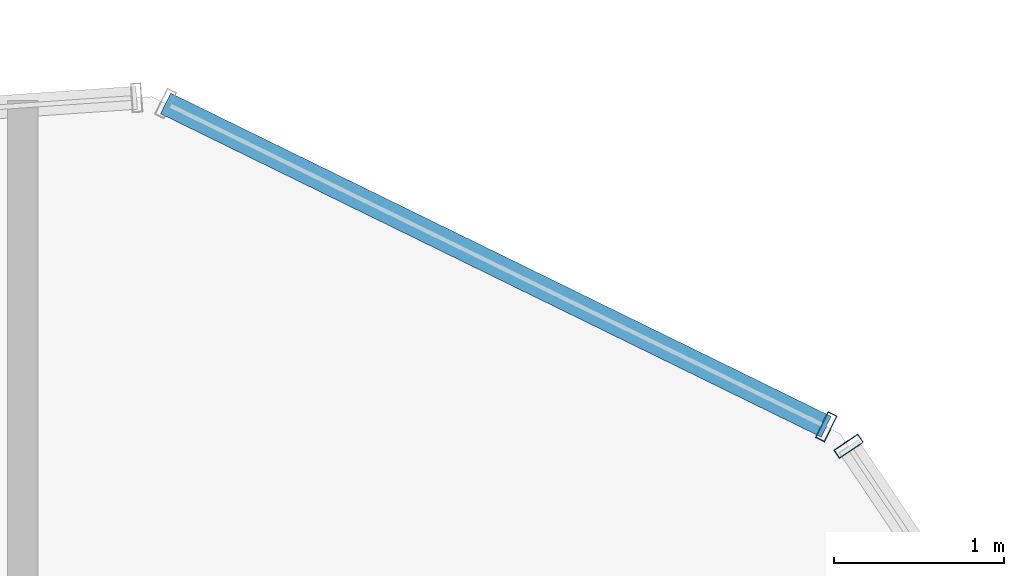
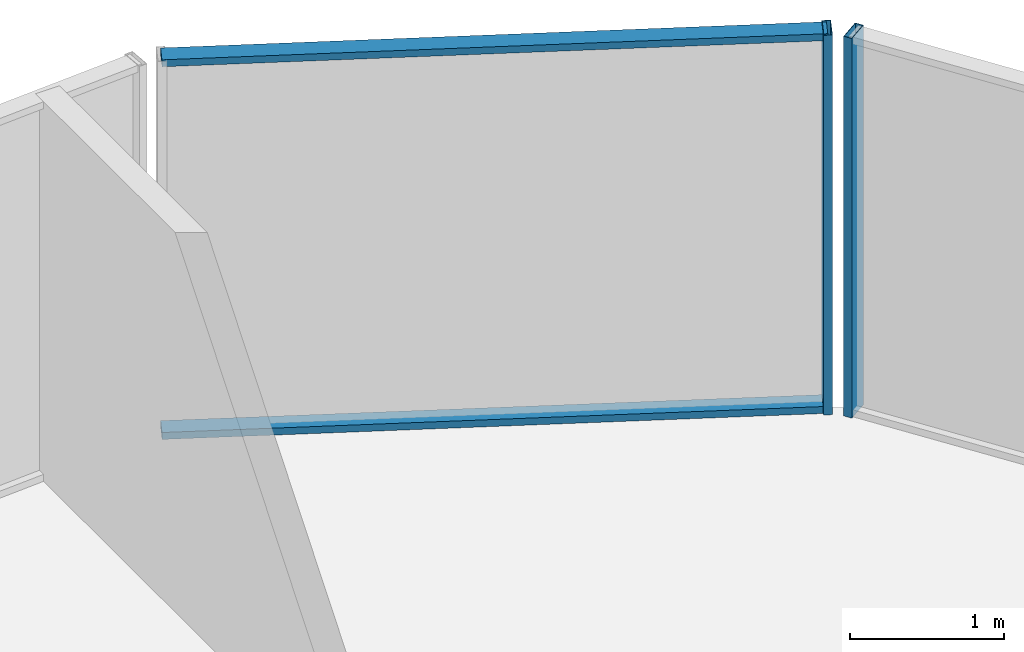
# One storey, part 31 of 37: 4 members, 2 elements without a shape of their own.
"""IFC4 building model written with IfcOpenShell, lengths in metres."""

from ifc_helpers import new_model, si_unit, direction, frame, origin, origin_2d, place, context, subcontext, project, spatial, hollow_rectangle, extrude, source, transform, mapped, material, layer, layer_set, material_profile, profile_set, type_object, element, aggregate, save


model = new_model("IFC4")

# Units and contexts
model_context = context("Model", 3, precision=1e-05, world=origin(), true_north=direction((0.0, 1.0)))
body_context = subcontext(model_context, "Body", "Model", "MODEL_VIEW")
ifc_project = project(units=[si_unit("LENGTHUNIT", "METRE"), si_unit("AREAUNIT", "SQUARE_METRE"), si_unit("VOLUMEUNIT", "CUBIC_METRE"), si_unit("PLANEANGLEUNIT", "RADIAN"), si_unit("MASSUNIT", "GRAM", prefix="KILO")], contexts=[model_context])

# Site, building, storey
site_placement = place(None, origin())
site = spatial("IfcSite", under=ifc_project, at=site_placement, CompositionType="ELEMENT")
building_placement = place(site_placement, origin())
building = spatial("IfcBuilding", under=site, at=building_placement, Name="Veraguas Prism Commons", CompositionType="ELEMENT")
storey_placement = place(building_placement, frame((0.0, 0.0, 37.050048828125)))
storey = spatial("IfcBuildingStorey", under=building, at=storey_placement, Name="L09", CompositionType="ELEMENT", Elevation=37.050048828125)

# Curtain wall, member
ifc_material = material(Name="Anodised aluminium EN AW-6063 T6", Category="aluminium")
ifc_layer = layer(ifc_material, 0.169921875, Name="Unitised Flush Curtain Wall Zone 1", Category="aluminium")
ifc_layer_set = layer_set([ifc_layer], Name="Anodised aluminium EN AW-6063 T6")
curtain_wall_type = type_object("IfcCurtainWallType", Name="Unitised Flush Curtain Wall Zone 1", PredefinedType="NOTDEFINED", material=ifc_layer_set)
curtain_wall_1_placement = place(storey_placement, origin())
curtain_wall_1 = element("IfcCurtainWall", 1, at=curtain_wall_1_placement, inside=storey, type_object=curtain_wall_type, Name="Tower Facade Curtain Wall L09-F1", PredefinedType="NOTDEFINED")
ifc_material_profile_1 = material_profile(ifc_material, hollow_rectangle(XDim=0.06005859375, YDim=0.169921875, WallThickness=0.00390625, at=origin_2d()), Name="AL60X170X4")
ifc_profile_set_1 = profile_set([ifc_material_profile_1], Name="Anodised aluminium EN AW-6063 T6")
member_type_1 = type_object("IfcMemberType", Name="Curtain Wall Mullion Lower AL 60x170x4", PredefinedType="MULLION", material=ifc_profile_set_1)
shared_shape_1 = source(origin(), body_context, "Body", "SweptSolid", [
    extrude(hollow_rectangle(XDim=0.06005859375, YDim=0.169921875, WallThickness=0.00390625, at=origin_2d()), origin(), (0.0, 0.0, 1.0), 3.0),
])
member_1_placement = place(storey_placement, frame((36.051025390625, 43.32568359375, 0.0), z_axis=(0.0, 0.0, 1.0), x_axis=(-0.558034803938, 0.829817544761, 0.0)))
member_1 = element("IfcMember", 2, at=member_1_placement, type_object=member_type_1, Name="CW-Z1 Mullion 5", PredefinedType="MULLION", context=body_context, shape_type="MappedRepresentation", body=[
    mapped(shared_shape_1, transform((0.0, 0.0, 0.0), scale=1.0)),
])
aggregate(curtain_wall_1, [member_1])

# Curtain wall, members
curtain_wall_2_placement = place(storey_placement, origin())
curtain_wall_2 = element("IfcCurtainWall", 3, at=curtain_wall_2_placement, inside=storey, type_object=curtain_wall_type, Name="Chamfer Curtain Wall L09-C2", PredefinedType="NOTDEFINED")
member_2_placement = place(storey_placement, frame((35.919921875, 43.43994140625, 0.0), z_axis=(0.0, 0.0, 1.0), x_axis=(-0.898184925211, 0.439617834175, 0.0)))
member_2 = element("IfcMember", 4, at=member_2_placement, type_object=member_type_1, Name="CW-Z1 Mullion 1", PredefinedType="MULLION", context=body_context, shape_type="MappedRepresentation", body=[
    mapped(shared_shape_1, transform((0.0, 0.0, 0.0), scale=1.0)),
])
ifc_material_profile_2 = material_profile(ifc_material, hollow_rectangle(XDim=0.054931640625, YDim=0.135009765625, WallThickness=0.0029296875, at=origin_2d()), Name="AL55X135X3")
ifc_profile_set_2 = profile_set([ifc_material_profile_2], Name="Anodised aluminium EN AW-6063 T6")
member_type_2 = type_object("IfcMemberType", Name="Curtain Wall Transom Standard AL 55x135x3", PredefinedType="USERDEFINED", material=ifc_profile_set_2)
shared_shape_2 = source(origin(), body_context, "Body", "SweptSolid", [
    extrude(hollow_rectangle(XDim=0.054931640625, YDim=0.135009765625, WallThickness=0.0029296875, at=origin_2d()), origin(), (0.0, 0.0, 1.0), 4.320068359375),
])
member_3_placement = place(storey_placement, frame((35.919921875, 43.43994140625, 0.02734375), z_axis=(-0.898181588675, 0.439624650998, 0.0), x_axis=(0.0, 0.0, 1.0)))
member_3 = element("IfcMember", 5, at=member_3_placement, type_object=member_type_2, Name="CW-Z1 Transom 1", ObjectType="TRANSOM", PredefinedType="USERDEFINED", context=body_context, shape_type="MappedRepresentation", body=[
    mapped(shared_shape_2, transform((0.0, 0.0, 0.0), scale=1.0)),
])
member_4_placement = place(storey_placement, frame((35.919921875, 43.43994140625, 2.972412109375), z_axis=(-0.898181588675, 0.439624650998, 0.0), x_axis=(0.0, 0.0, 1.0)))
member_4 = element("IfcMember", 6, at=member_4_placement, type_object=member_type_2, Name="CW-Z1 Transom 2", ObjectType="TRANSOM", PredefinedType="USERDEFINED", context=body_context, shape_type="MappedRepresentation", body=[
    mapped(shared_shape_2, transform((0.0, 0.0, 0.0), scale=1.0)),
])
aggregate(curtain_wall_2, [member_2, member_3, member_4])

save(model, "model.ifc")
